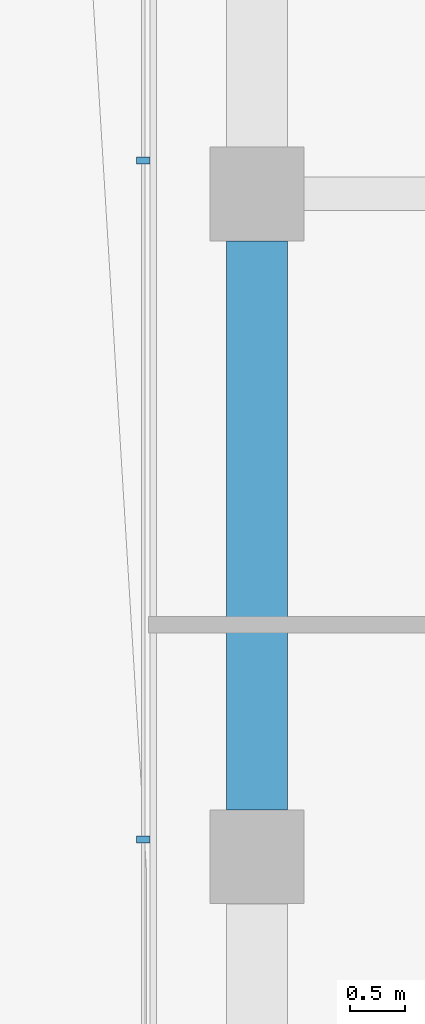
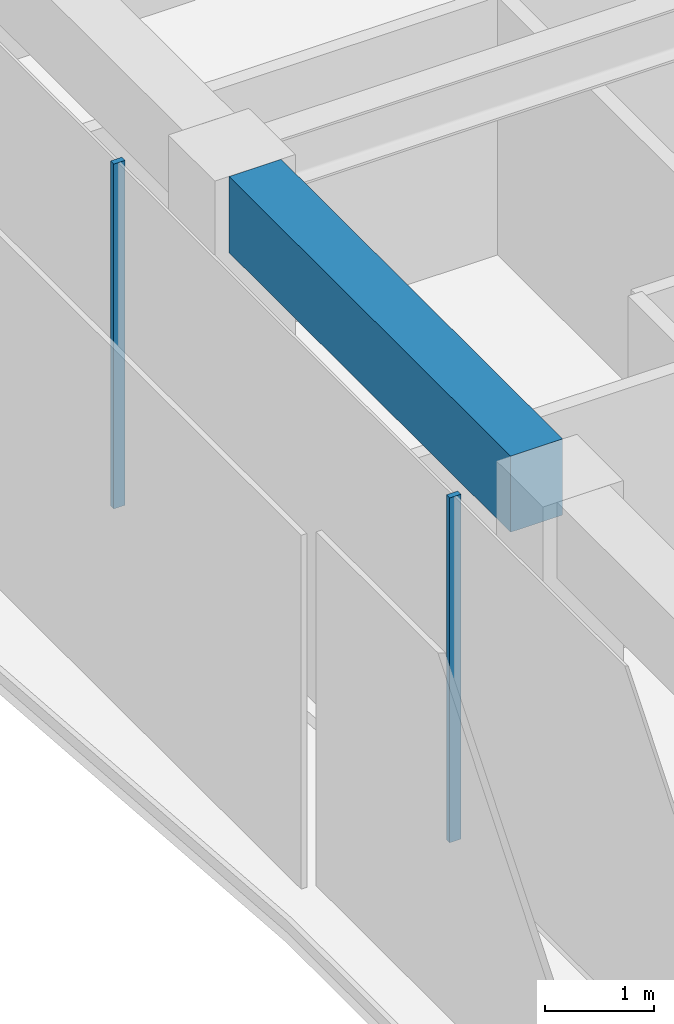
# One storey, part 9 of 21: 2 members, 1 beam, 1 element without a shape of its own.
"""IFC4 building model written with IfcOpenShell, lengths in metres."""

from ifc_helpers import new_model, si_unit, direction, frame, origin, origin_2d, place, context, subcontext, project, spatial, rectangle, extrude, material, layer, layer_set, material_profile, profile_set, type_object, element, aggregate, save


model = new_model("IFC4")

# Units and contexts
model_context = context("Model", 3, precision=1e-05, world=origin(), true_north=direction((0.0, 1.0)))
body_context = subcontext(model_context, "Body", "Model", "MODEL_VIEW")
ifc_project = project(units=[si_unit("LENGTHUNIT", "METRE"), si_unit("AREAUNIT", "SQUARE_METRE"), si_unit("VOLUMEUNIT", "CUBIC_METRE"), si_unit("PLANEANGLEUNIT", "RADIAN"), si_unit("MASSUNIT", "GRAM", prefix="KILO")], contexts=[model_context])

# Site, building, storey
site_placement = place(None, origin())
site = spatial("IfcSite", under=ifc_project, at=site_placement, CompositionType="ELEMENT")
building_placement = place(site_placement, origin())
building = spatial("IfcBuilding", under=site, at=building_placement, Name="Welwitschia Terrace Campus", CompositionType="ELEMENT")
storey_placement = place(building_placement, frame((0.0, 0.0, 184.39990234375)))
storey = spatial("IfcBuildingStorey", under=building, at=storey_placement, Name="L41", CompositionType="ELEMENT", Elevation=184.39990234375)

# Curtain wall, members
ifc_material_1 = material(Name="Bronze anodised aluminium", Category="aluminium")
ifc_layer = layer(ifc_material_1, 0.1201171875)
ifc_layer_set = layer_set([ifc_layer], Name="Bronze anodised aluminium")
curtain_wall_type = type_object("IfcCurtainWallType", Name="Curtain wall CW2 tower 6000", PredefinedType="NOTDEFINED", material=ifc_layer_set)
curtain_wall_placement = place(storey_placement, origin())
curtain_wall = element("IfcCurtainWall", 1, at=curtain_wall_placement, inside=storey, type_object=curtain_wall_type, Name="CW L41.10.0", PredefinedType="NOTDEFINED")
ifc_material_2 = material(Name="Bronze anodised aluminium", Category="aluminium")
ifc_material_profile_1 = material_profile(ifc_material_2, rectangle(XDim=0.1201171875, YDim=0.06005859375, at=origin_2d()))
ifc_profile_set_1 = profile_set([ifc_material_profile_1], Name="Bronze anodised aluminium")
member_type = type_object("IfcMemberType", Name="Mullion 60x120", PredefinedType="MULLION", material=ifc_profile_set_1)
member_1_placement = place(storey_placement, frame((-1.030029296875, 32.3017578125, 0.0), z_axis=(0.0, 0.0, 1.0), x_axis=(1.0, 0.0, 0.0)))
member_1 = element("IfcMember", 2, at=member_1_placement, type_object=member_type, Name="Mullion L41.10.0.5", PredefinedType="MULLION", context=body_context, shape_type="SweptSolid", body=[
    extrude(rectangle(XDim=0.1201171875, YDim=0.06005859375, at=origin_2d()), origin(), (0.0, 0.0, 1.0), 3.85009765625),
])
member_2_placement = place(storey_placement, frame((-1.030029296875, 26.156005859375, 0.0), z_axis=(0.0, 0.0, 1.0), x_axis=(1.0, 0.0, 0.0)))
member_2 = element("IfcMember", 3, at=member_2_placement, type_object=member_type, Name="Mullion L41.10.0.6", PredefinedType="MULLION", context=body_context, shape_type="SweptSolid", body=[
    extrude(rectangle(XDim=0.1201171875, YDim=0.06005859375, at=origin_2d()), origin(), (0.0, 0.0, 1.0), 3.85009765625),
])
aggregate(curtain_wall, [member_1, member_2])

# Beam
ifc_material_3 = material(Name="Concrete C50/60", Category="concrete")
ifc_material_profile_2 = material_profile(ifc_material_3, rectangle(XDim=0.550048828125, YDim=0.85009765625, at=origin_2d()))
ifc_profile_set_2 = profile_set([ifc_material_profile_2], Name="Concrete C50/60")
beam_type = type_object("IfcBeamType", Name="Ring spandrel 550x850", PredefinedType="SPANDREL", material=ifc_profile_set_2)
beam_placement = place(storey_placement, frame((0.0, 31.574462890625, 3.425048828125), z_axis=(0.0, -1.0, 0.0), x_axis=(1.0, 0.0, 0.0)))
element("IfcBeam", 4, at=beam_placement, inside=storey, type_object=beam_type, Name="Spandrel SP3", PredefinedType="SPANDREL", context=body_context, shape_type="SweptSolid", body=[
    extrude(rectangle(XDim=0.550048828125, YDim=0.85009765625, at=origin_2d()), origin(), (0.0, 0.0, 1.0), 5.14892578125),
])

save(model, "model.ifc")
